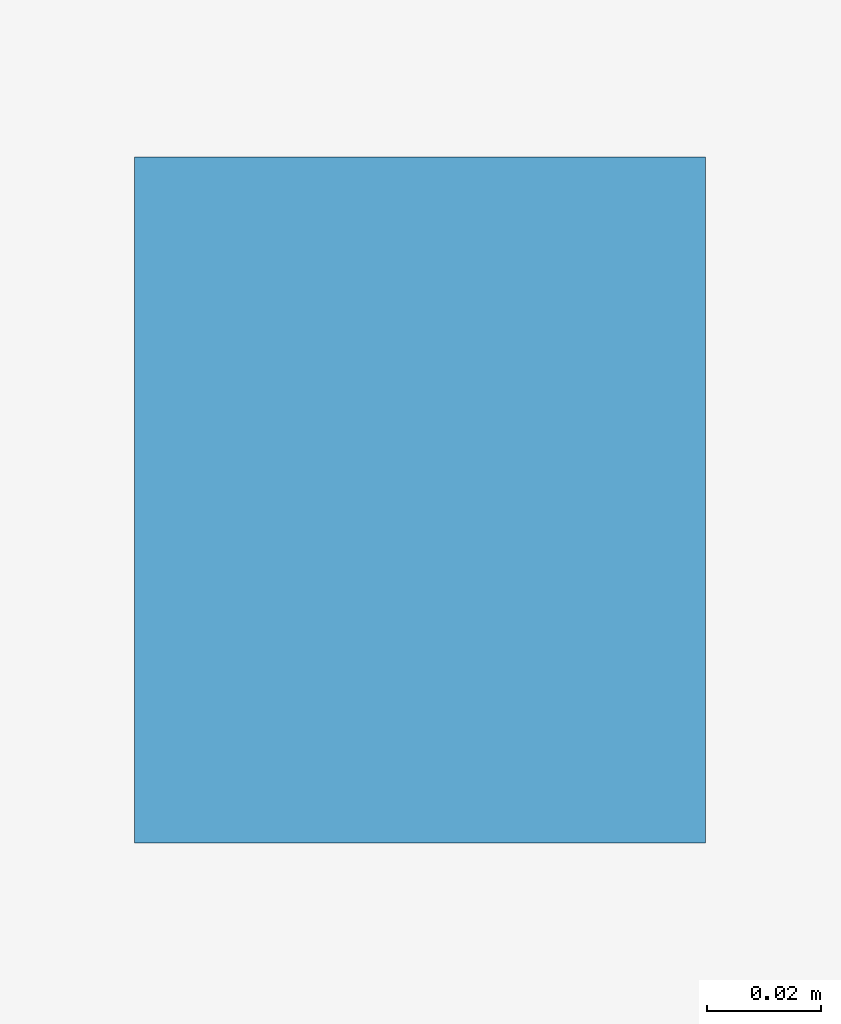
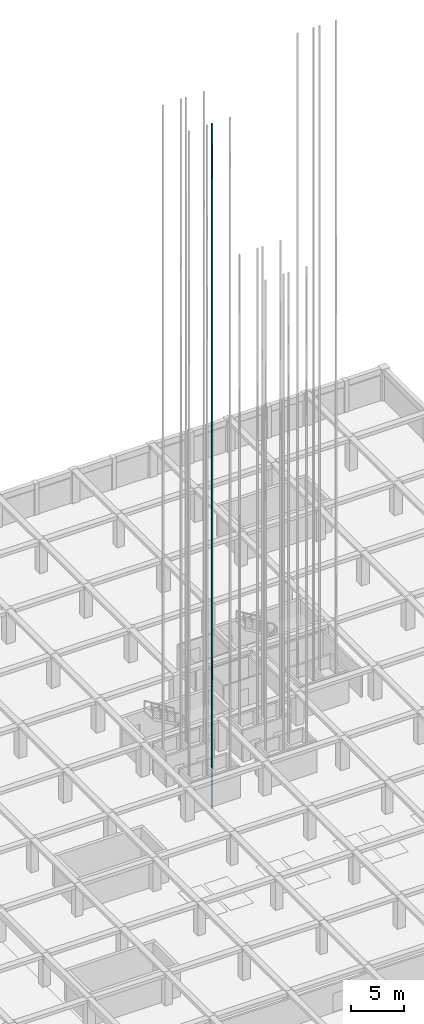
# One storey, part 27 of 47: 1 discrete accessory.
"""IFC4 building model written with IfcOpenShell, lengths in metres."""

import ifcopenshell
import ifcopenshell.guid

model = None  # the IFC model being written
_history = None  # IfcOwnerHistory: only IFC2X3 demands one
_inside = {}  # id of a spatial element -> (the spatial element, [elements in it])
_under = {}  # id of a project, library or spatial element -> (it, [spatial elements below it])
_declared = {}  # id of a project -> (the project, [libraries it declares])
_typed = {}  # id of a type object -> (the type object, [elements of that type])
_made_of = {}  # id of a material, layer set ... -> (it, [elements and type objects made of it])


def new_model(schema):
    """Start an empty IFC model of exactly this schema.

    Asked for "IFC4X3", IfcOpenShell would pick the latest addendum, in which some entities
    have other attributes; the version numbers below select the first issue.
    IFC2X3 requires an IfcOwnerHistory on every rooted entity: one is made here for all.
    """
    global model, _history
    if schema == "IFC4X3":
        model = ifcopenshell.file(schema_version=(4, 3, 0, 0))
    else:
        model = ifcopenshell.file(schema=schema)
    _inside.clear()
    _under.clear()
    _declared.clear()
    _typed.clear()
    _made_of.clear()
    _history = None
    if model.schema == "IFC2X3":
        org = make("IfcOrganization", Name="unknown")
        user = make(
            "IfcPersonAndOrganization",
            ThePerson=make("IfcPerson", FamilyName="unknown"),
            TheOrganization=org,
        )
        app = make(
            "IfcApplication",
            ApplicationDeveloper=org,
            Version="unknown",
            ApplicationFullName="unknown",
            ApplicationIdentifier="unknown",
        )
        _history = make(
            "IfcOwnerHistory",
            OwningUser=user,
            OwningApplication=app,
            ChangeAction="ADDED",
            CreationDate=0,
        )
    return model


def make(cls, **values):
    """One entity of the class cls with the attributes given. An attribute that is None is left unset."""
    return model.create_entity(
        cls, **{name: value for name, value in values.items() if value is not None}
    )


def rooted(cls, **values):
    """An entity with a GlobalId (a new one), such as an element, a storey or a relation."""
    return make(cls, GlobalId=ifcopenshell.guid.new(), OwnerHistory=_history, **values)


def si_unit(unit_type, name, prefix=None):
    """IfcSIUnit, for example si_unit("LENGTHUNIT", "METRE", prefix="MILLI")."""
    return make("IfcSIUnit", UnitType=unit_type, Prefix=prefix, Name=name)


def assignment(units):
    """IfcUnitAssignment: the units of a project."""
    return None if units is None else make("IfcUnitAssignment", Units=units)


def point(xyz):
    """IfcCartesianPoint."""
    return None if xyz is None else make("IfcCartesianPoint", Coordinates=xyz)


def direction(xyz):
    """IfcDirection."""
    return None if xyz is None else make("IfcDirection", DirectionRatios=xyz)


def frame(location, z_axis=None, x_axis=None):
    """IfcAxis2Placement3D, a coordinate frame: its origin and axes. An axis left out is left unset."""
    return make(
        "IfcAxis2Placement3D",
        Location=point(location),
        Axis=direction(z_axis),
        RefDirection=direction(x_axis),
    )


def frame_2d(location, x_axis=None):
    """IfcAxis2Placement2D, a coordinate frame in the plane: its origin and x axis."""
    return make(
        "IfcAxis2Placement2D", Location=point(location), RefDirection=direction(x_axis)
    )


def origin():
    """The frame at (0, 0, 0) with its axes left unset."""
    return frame((0.0, 0.0, 0.0))


def origin_2d():
    """The frame at (0, 0) in the plane with its x axis left unset."""
    return frame_2d((0.0, 0.0))


def place(relative_to, where):
    """IfcLocalPlacement: puts the frame where relative to a parent placement (None: the world)."""
    return make(
        "IfcLocalPlacement", PlacementRelTo=relative_to, RelativePlacement=where
    )


def context(
    kind, dimensions, precision=None, world=None, true_north=None, identifier=None
):
    """IfcGeometricRepresentationContext, for example the 3D "Model" context."""
    return make(
        "IfcGeometricRepresentationContext",
        ContextIdentifier=identifier,
        ContextType=kind,
        CoordinateSpaceDimension=dimensions,
        Precision=precision,
        WorldCoordinateSystem=world,
        TrueNorth=true_north,
    )


def subcontext(parent, identifier, kind, view, scale=None):
    """IfcGeometricRepresentationSubContext, for example "Body" below "Model"."""
    return make(
        "IfcGeometricRepresentationSubContext",
        ContextIdentifier=identifier,
        ContextType=kind,
        ParentContext=parent,
        TargetScale=scale,
        TargetView=view,
    )


def project(units=None, contexts=None):
    """IfcProject with its units and contexts."""
    return rooted(
        "IfcProject",
        Name="project",
        RepresentationContexts=contexts,
        UnitsInContext=assignment(units),
    )


def spatial(cls, under=None, at=None, **own):
    """A site, building, storey or space (cls), placed at a placement, below another one or the project."""
    s = rooted(cls, ObjectPlacement=at, **own)
    if under is not None:
        _under.setdefault(under.id(), (under, []))[1].append(s)
    return s


def profile(cls, at=None, kind="AREA", **sizes):
    """A parametric profile (cls). Its sizes go by their IFC names, for example OverallWidth=200.0."""
    return make(cls, ProfileType=kind, Position=at, **sizes)


def rectangle(**sizes):
    """IfcRectangleProfileDef."""
    return profile("IfcRectangleProfileDef", **sizes)


def extrude(swept, where, along, depth):
    """IfcExtrudedAreaSolid: the profile swept, set in the frame where, extruded along a direction by depth."""
    return make(
        "IfcExtrudedAreaSolid",
        SweptArea=swept,
        Position=where,
        ExtrudedDirection=direction(along),
        Depth=depth,
    )


def shape(context_of_items, identifier, shape_type, items):
    """IfcShapeRepresentation: the items that make up one representation, for example the "Body"."""
    return make(
        "IfcShapeRepresentation",
        ContextOfItems=context_of_items,
        RepresentationIdentifier=identifier,
        RepresentationType=shape_type,
        Items=items,
    )


def material(Name=None, Category=None):
    """IfcMaterial."""
    return make("IfcMaterial", Name=Name, Category=Category)


def layer(
    of_material, thickness, ventilated=None, Name=None, Category=None, Priority=None
):
    """IfcMaterialLayer: one layer of a wall or slab, of a material (None: an air gap)."""
    return make(
        "IfcMaterialLayer",
        Material=of_material,
        LayerThickness=thickness,
        IsVentilated=ventilated,
        Name=Name,
        Category=Category,
        Priority=Priority,
    )


def layer_set(layers, Name=None):
    """IfcMaterialLayerSet."""
    return make("IfcMaterialLayerSet", MaterialLayers=layers, LayerSetName=Name)


def made_of(thing, what):
    """Note that an element or type object is made of a material, layer set ...; save() writes the relation."""
    if what is not None:
        _made_of.setdefault(what.id(), (what, []))[1].append(thing)
    return thing


def type_object(cls, material=None, **own):
    """A type object (cls), such as IfcWallType, which elements share."""
    return made_of(rooted(cls, **own), material)


def element(
    cls,
    number,
    at=None,
    inside=None,
    cuts=None,
    type_object=None,
    material=None,
    context=None,
    identifier="Body",
    shape_type=None,
    held_by="IfcProductDefinitionShape",
    body=None,
    shapes=None,
    **own,
):
    """One element of the class cls, such as IfcWall. Its Tag is "e" and its number.

    at: its placement. inside: the storey or other place that contains it. cuts: it is an
    opening in that element (IfcRelVoidsElement). A single representation is given by context,
    identifier, shape_type and body (its items); several are given by shapes. held_by: the class
    of the entity that holds the representations. save() writes the other relations.
    """
    e = rooted(cls, Tag="e%d" % number, ObjectPlacement=at, **own)
    if body is not None:
        shapes = [shape(context, identifier, shape_type, body)]
    if shapes is not None:
        e.Representation = make(held_by, Representations=shapes)
    if inside is not None:
        _inside.setdefault(inside.id(), (inside, []))[1].append(e)
    if cuts is not None:
        rooted(
            "IfcRelVoidsElement", RelatingBuildingElement=cuts, RelatedOpeningElement=e
        )
    if type_object is not None:
        _typed.setdefault(type_object.id(), (type_object, []))[1].append(e)
    return made_of(e, material)


def aggregate(whole, parts):
    """IfcRelAggregates: a whole, such as a stair, and the parts it consists of."""
    return rooted("IfcRelAggregates", RelatingObject=whole, RelatedObjects=parts)


def save(model, path):
    """Write the relations noted so far, then the file.

    IfcRelAggregates (storeys below a building ...), IfcRelContainedInSpatialStructure (elements
    in a storey), IfcRelDefinesByType, IfcRelAssociatesMaterial and IfcRelDeclares: one each for
    every whole, place, type object, material and project.
    """
    for whole, parts in _under.values():
        aggregate(whole, parts)
    for where, things in _inside.values():
        rooted(
            "IfcRelContainedInSpatialStructure",
            RelatedElements=things,
            RelatingStructure=where,
        )
    for kind, things in _typed.values():
        rooted("IfcRelDefinesByType", RelatedObjects=things, RelatingType=kind)
    for what, things in _made_of.values():
        rooted("IfcRelAssociatesMaterial", RelatedObjects=things, RelatingMaterial=what)
    for by, libraries in _declared.values():
        rooted("IfcRelDeclares", RelatingContext=by, RelatedDefinitions=libraries)
    model.write(path)


model = new_model("IFC4")

# Units and contexts
model_context = context("Model", 3, precision=1e-05, world=origin(), true_north=direction((0.0, 1.0)))
body_context = subcontext(model_context, "Body", "Model", "MODEL_VIEW")
ifc_project = project(units=[si_unit("LENGTHUNIT", "METRE"), si_unit("AREAUNIT", "SQUARE_METRE"), si_unit("VOLUMEUNIT", "CUBIC_METRE"), si_unit("PLANEANGLEUNIT", "RADIAN"), si_unit("MASSUNIT", "GRAM", prefix="KILO")], contexts=[model_context])

# Site, building, storey
site_placement = place(None, origin())
site = spatial("IfcSite", under=ifc_project, at=site_placement, CompositionType="ELEMENT")
building_placement = place(site_placement, origin())
building = spatial("IfcBuilding", under=site, at=building_placement, Name="Almacenes y Pasaje Nevantli", CompositionType="ELEMENT")
storey_placement = place(building_placement, frame((0.0, 0.0, -8.10009765625)))
storey = spatial("IfcBuildingStorey", under=building, at=storey_placement, Name="B02", CompositionType="ELEMENT", Elevation=-8.10009765625)

# Discrete accessory
ifc_material = material(Name="Steel ASTM A36", Category="steel")
ifc_layer = layer(ifc_material, 0.1201171875)
ifc_layer_set = layer_set([ifc_layer], Name="Steel ASTM A36")
discrete_accessory_type = type_object("IfcDiscreteAccessoryType", Name="ACC-LIFT-RAIL", PredefinedType="BRACKET", material=ifc_layer_set)
discrete_accessory_placement = place(storey_placement, frame((121.27001953125, 68.949951171875, -1.199951171875), z_axis=(0.0, 0.0, 1.0), x_axis=(1.0, 0.0, 0.0)))
element("IfcDiscreteAccessory", 1, at=discrete_accessory_placement, inside=storey, type_object=discrete_accessory_type, Name="Elevator Steel T-Section Guide Rail ELV-P06-W", PredefinedType="BRACKET", context=body_context, shape_type="SweptSolid", body=[
    extrude(rectangle(XDim=0.10009765625, YDim=0.1201171875, at=origin_2d()), origin(), (0.0, 0.0, 1.0), 78.5),
])

save(model, "model.ifc")
